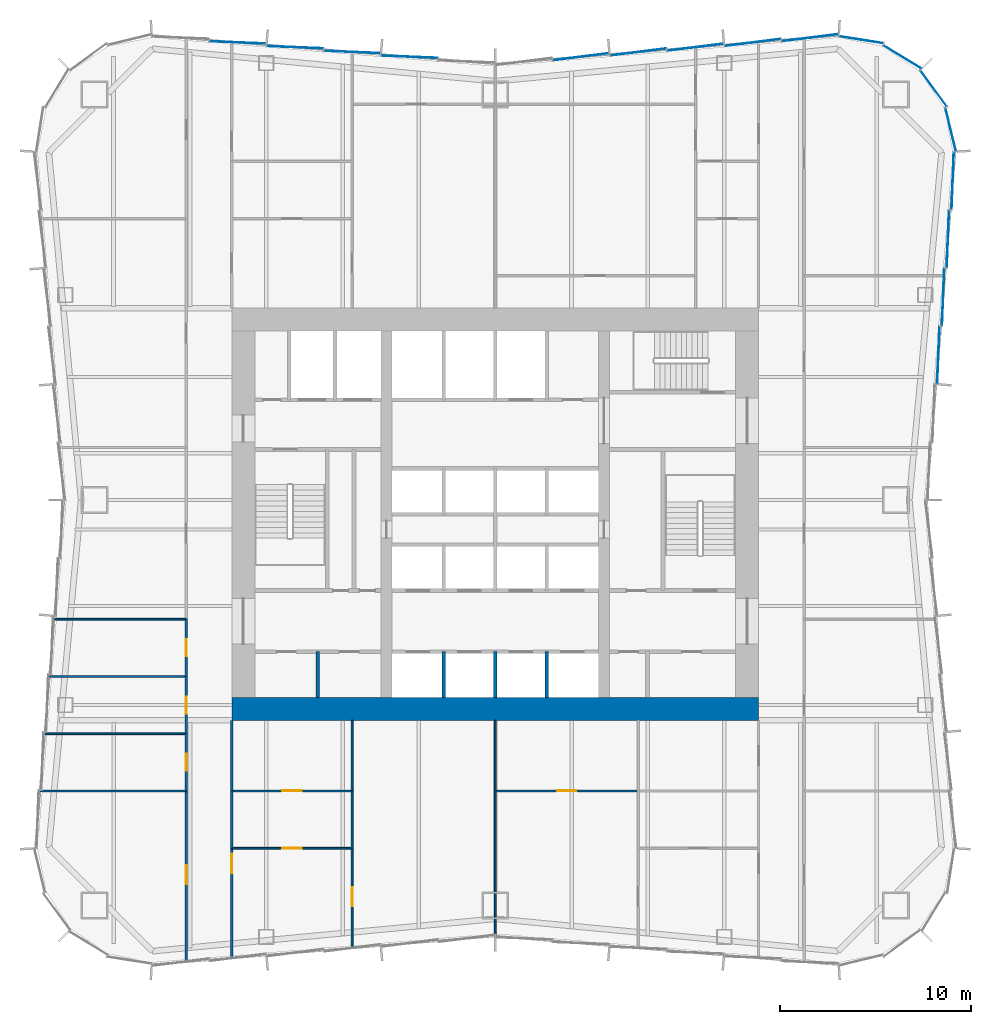
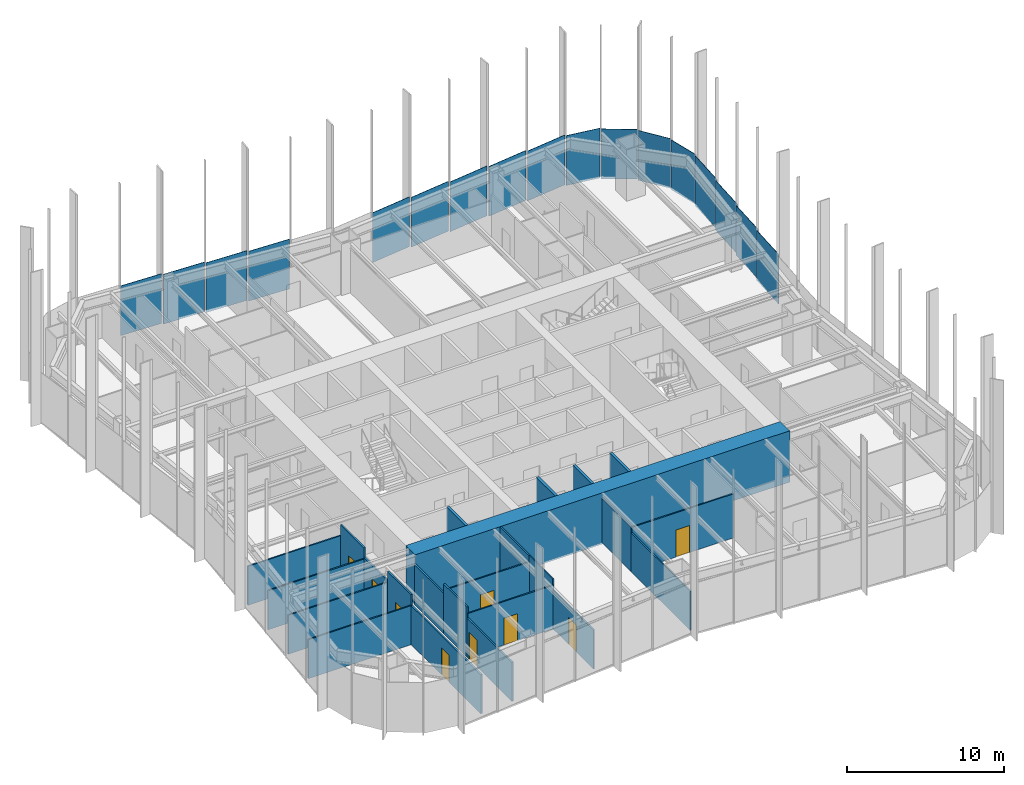
# One storey, part 8 of 13: 24 walls, 17 plates, 9 doors, 9 openings, 3 elements without a shape of their own.
"""IFC4 building model written with IfcOpenShell, lengths in metres."""

from ifc_helpers import new_model, si_unit, direction, frame, frame_2d, origin, origin_2d, place, context, subcontext, project, spatial, rectangle, extrude, material, layer, layer_set, type_object, element, fill, aggregate, save


model = new_model("IFC4")

# Units and contexts
model_context = context("Model", 3, precision=1e-05, world=origin(), true_north=direction((0.0, 1.0)))
body_context = subcontext(model_context, "Body", "Model", "MODEL_VIEW")
ifc_project = project(units=[si_unit("LENGTHUNIT", "METRE"), si_unit("AREAUNIT", "SQUARE_METRE"), si_unit("VOLUMEUNIT", "CUBIC_METRE"), si_unit("PLANEANGLEUNIT", "RADIAN"), si_unit("MASSUNIT", "GRAM", prefix="KILO")], contexts=[model_context])

# Site, building, storey
site_placement = place(None, origin())
site = spatial("IfcSite", under=ifc_project, at=site_placement, CompositionType="ELEMENT")
building_placement = place(site_placement, origin())
building = spatial("IfcBuilding", under=site, at=building_placement, Name="Verdant Reach Tower", CompositionType="ELEMENT")
storey_placement = place(building_placement, frame((0.0, 0.0, 94.0)))
storey = spatial("IfcBuildingStorey", under=building, at=storey_placement, Name="L21", CompositionType="ELEMENT", Elevation=94.0)

# Curtain wall, plate
ifc_material_1 = material(Name="Anodised aluminium", Category="aluminium")
curtain_wall_type = type_object("IfcCurtainWallType", Name="EN-CW SYSTEM Z1", PredefinedType="NOTDEFINED", material=ifc_material_1)
curtain_wall_1_placement = place(storey_placement, origin())
curtain_wall_1 = element("IfcCurtainWall", 1, at=curtain_wall_1_placement, inside=storey, type_object=curtain_wall_type, Name="Curtain wall east, L21", PredefinedType="NOTDEFINED")
ifc_material_2 = material(Name="Tinted glass with champagne spandrel", Category="glass")
ifc_layer_1 = layer(ifc_material_2, 0.031982421875)
ifc_layer_set_1 = layer_set([ifc_layer_1], Name="EN-PANEL CHAMPAGNE")
plate_type_1 = type_object("IfcPlateType", Name="EN-PANEL CHAMPAGNE", PredefinedType="CURTAIN_PANEL", material=ifc_layer_set_1)
plate_1_placement = place(storey_placement, frame((23.977783203125, 45.477783203125, -0.22802734375), z_axis=(0.0, 0.0, 1.0), x_axis=(0.039784239139, 0.999208293759, 0.0)))
plate_1 = element("IfcPlate", 2, at=plate_1_placement, type_object=plate_type_1, Name="Glass panel east face part 2 6.1, L21", PredefinedType="CURTAIN_PANEL", context=body_context, shape_type="SweptSolid", body=[
    extrude(rectangle(XDim=3.00830078125, YDim=0.031982421875, at=origin_2d()), origin(), (0.0, 0.0, 1.0), 3.8779296875),
])

curtain_wall_2_placement = place(storey_placement, origin())
curtain_wall_2 = element("IfcCurtainWall", 3, at=curtain_wall_2_placement, inside=storey, type_object=curtain_wall_type, Name="Curtain wall north-east corner, L21", PredefinedType="NOTDEFINED")
plate_2_placement = place(storey_placement, frame((19.170654296875, 52.87060546875, -0.22802734375), z_axis=(0.0, 0.0, 1.0), x_axis=(-0.988032704995, 0.154244526195, 0.0)))
plate_2 = element("IfcPlate", 4, at=plate_2_placement, type_object=plate_type_1, Name="Glass panel north-east corner 4.1, L21", PredefinedType="CURTAIN_PANEL", context=body_context, shape_type="SweptSolid", body=[
    extrude(rectangle(XDim=2.317626953125, YDim=0.031982421875, at=origin_2d()), origin(), (0.0, 0.0, 1.0), 3.8779296875),
])

# Curtain wall, plates
curtain_wall_3_placement = place(storey_placement, origin())
curtain_wall_3 = element("IfcCurtainWall", 5, at=curtain_wall_3_placement, inside=storey, type_object=curtain_wall_type, Name="Curtain wall north, L21", PredefinedType="NOTDEFINED")
plate_3_placement = place(storey_placement, frame((10.491455078125, 52.4775390625, -0.22802734375), z_axis=(0.0, 0.0, 1.0), x_axis=(-0.992194034542, -0.124703639961, 0.0)))
plate_3 = element("IfcPlate", 6, at=plate_3_placement, type_object=plate_type_1, Name="Glass panel north face part 1 3.1, L21", PredefinedType="CURTAIN_PANEL", context=body_context, shape_type="SweptSolid", body=[
    extrude(rectangle(XDim=2.952392578125, YDim=0.031982421875, at=origin_2d()), origin(), (0.0, 0.0, 1.0), 3.8779296875),
])
plate_4_placement = place(storey_placement, frame((7.491455078125, 52.2275390625, -0.22802734375), z_axis=(0.0, 0.0, 1.0), x_axis=(-0.992194034542, -0.124703639961, 0.0)))
plate_4 = element("IfcPlate", 7, at=plate_4_placement, type_object=plate_type_1, Name="Glass panel north face part 1 4.1, L21", PredefinedType="CURTAIN_PANEL", context=body_context, shape_type="SweptSolid", body=[
    extrude(rectangle(XDim=2.952392578125, YDim=0.031982421875, at=origin_2d()), origin(), (0.0, 0.0, 1.0), 3.8779296875),
])
plate_5_placement = place(storey_placement, frame((-10.491455078125, 52.4775390625, -0.22802734375), z_axis=(0.0, 0.0, 1.0), x_axis=(-0.999149202059, 0.041241629766, 0.0)))
plate_5 = element("IfcPlate", 8, at=plate_5_placement, type_object=plate_type_1, Name="Glass panel north face part 2 4.1, L21", PredefinedType="CURTAIN_PANEL", context=body_context, shape_type="SweptSolid", body=[
    extrude(rectangle(XDim=2.952392578125, YDim=0.031982421875, at=origin_2d()), origin(), (0.0, 0.0, 1.0), 3.8779296875),
])
plate_6_placement = place(storey_placement, frame((-13.491455078125, 52.7275390625, -0.22802734375), z_axis=(0.0, 0.0, 1.0), x_axis=(-0.999149202059, 0.041241629766, 0.0)))
plate_6 = element("IfcPlate", 9, at=plate_6_placement, type_object=plate_type_1, Name="Glass panel north face part 2 5.1, L21", PredefinedType="CURTAIN_PANEL", context=body_context, shape_type="SweptSolid", body=[
    extrude(rectangle(XDim=2.952392578125, YDim=0.031982421875, at=origin_2d()), origin(), (0.0, 0.0, 1.0), 3.8779296875),
])

# Plate
ifc_material_3 = material(Name="Tinted glass with copper spandrel", Category="glass")
ifc_layer_2 = layer(ifc_material_3, 0.031982421875)
ifc_layer_set_2 = layer_set([ifc_layer_2], Name="EN-PANEL COPPER")
plate_type_2 = type_object("IfcPlateType", Name="EN-PANEL COPPER", PredefinedType="CURTAIN_PANEL", material=ifc_layer_set_2)
plate_7_placement = place(storey_placement, frame((23.87060546875, 48.170654296875, -0.22802734375), z_axis=(0.0, 0.0, 1.0), x_axis=(-0.236383344544, 0.971659875894, 0.0)))
plate_7 = element("IfcPlate", 10, at=plate_7_placement, type_object=plate_type_2, Name="Glass panel north-east corner 1.1, L21", PredefinedType="CURTAIN_PANEL", context=body_context, shape_type="SweptSolid", body=[
    extrude(rectangle(XDim=2.3173828125, YDim=0.031982421875, at=origin_2d()), origin(), (0.0, 0.0, 1.0), 3.8779296875),
])

plate_8_placement = place(storey_placement, frame((4.491455078125, 51.9775390625, -0.22802734375), z_axis=(0.0, 0.0, 1.0), x_axis=(-0.992194034542, -0.124703639961, 0.0)))
plate_8 = element("IfcPlate", 11, at=plate_8_placement, type_object=plate_type_2, Name="Glass panel north face part 1 5.1, L21", PredefinedType="CURTAIN_PANEL", context=body_context, shape_type="SweptSolid", body=[
    extrude(rectangle(XDim=2.952392578125, YDim=0.031982421875, at=origin_2d()), origin(), (0.0, 0.0, 1.0), 3.8779296875),
])

ifc_material_4 = material(Name="Tinted glass with dark bronze spandrel", Category="glass")
ifc_layer_3 = layer(ifc_material_4, 0.031982421875)
ifc_layer_set_3 = layer_set([ifc_layer_3], Name="EN-PANEL DARK")
plate_type_3 = type_object("IfcPlateType", Name="EN-PANEL DARK", PredefinedType="CURTAIN_PANEL", material=ifc_layer_set_3)
plate_9_placement = place(storey_placement, frame((23.2275390625, 36.345703125, -0.22802734375), z_axis=(0.0, 0.0, 1.0), x_axis=(0.040108781752, 0.999195319057, 0.0)))
plate_9 = element("IfcPlate", 12, at=plate_9_placement, type_object=plate_type_3, Name="Glass panel east face part 2 3.1, L21", PredefinedType="CURTAIN_PANEL", context=body_context, shape_type="SweptSolid", body=[
    extrude(rectangle(XDim=2.993896484375, YDim=0.031982421875, at=origin_2d()), origin(), (0.0, 0.0, 1.0), 3.8779296875),
])

plate_10_placement = place(storey_placement, frame((23.4775390625, 39.387451171875, -0.22802734375), z_axis=(0.0, 0.0, 1.0), x_axis=(0.040108781752, 0.999195319057, 0.0)))
plate_10 = element("IfcPlate", 13, at=plate_10_placement, type_object=plate_type_3, Name="Glass panel east face part 2 4.1, L21", PredefinedType="CURTAIN_PANEL", context=body_context, shape_type="SweptSolid", body=[
    extrude(rectangle(XDim=2.993896484375, YDim=0.031982421875, at=origin_2d()), origin(), (0.0, 0.0, 1.0), 3.8779296875),
])

plate_11_placement = place(storey_placement, frame((23.7275390625, 42.428955078125, -0.22802734375), z_axis=(0.0, 0.0, 1.0), x_axis=(0.040108781752, 0.999195319057, 0.0)))
plate_11 = element("IfcPlate", 14, at=plate_11_placement, type_object=plate_type_3, Name="Glass panel east face part 2 5.1, L21", PredefinedType="CURTAIN_PANEL", context=body_context, shape_type="SweptSolid", body=[
    extrude(rectangle(XDim=2.993896484375, YDim=0.031982421875, at=origin_2d()), origin(), (0.0, 0.0, 1.0), 3.8779296875),
])

aggregate(curtain_wall_1, [plate_9, plate_10, plate_11, plate_1])

plate_12_placement = place(storey_placement, frame((22.97705078125, 50.325439453125, -0.22802734375), z_axis=(0.0, 0.0, 1.0), x_axis=(-0.589926768145, 0.807456753161, 0.0)))
plate_12 = element("IfcPlate", 15, at=plate_12_placement, type_object=plate_type_3, Name="Glass panel north-east corner 2.1, L21", PredefinedType="CURTAIN_PANEL", context=body_context, shape_type="SweptSolid", body=[
    extrude(rectangle(XDim=2.3232421875, YDim=0.031982421875, at=origin_2d()), origin(), (0.0, 0.0, 1.0), 3.8779296875),
])

plate_13_placement = place(storey_placement, frame((21.325439453125, 51.97705078125, -0.22802734375), z_axis=(0.0, 0.0, 1.0), x_axis=(-0.85398868836, 0.520291572248, 0.0)))
plate_13 = element("IfcPlate", 16, at=plate_13_placement, type_object=plate_type_3, Name="Glass panel north-east corner 3.1, L21", PredefinedType="CURTAIN_PANEL", context=body_context, shape_type="SweptSolid", body=[
    extrude(rectangle(XDim=2.3232421875, YDim=0.031982421875, at=origin_2d()), origin(), (0.0, 0.0, 1.0), 3.8779296875),
])

aggregate(curtain_wall_2, [plate_7, plate_12, plate_13, plate_2])

plate_14_placement = place(storey_placement, frame((16.49853515625, 52.977783203125, -0.22802734375), z_axis=(0.0, 0.0, 1.0), x_axis=(-0.99223537376, -0.124374286167, 0.0)))
plate_14 = element("IfcPlate", 17, at=plate_14_placement, type_object=plate_type_3, Name="Glass panel north face part 1 1.1, L21", PredefinedType="CURTAIN_PANEL", context=body_context, shape_type="SweptSolid", body=[
    extrude(rectangle(XDim=2.966796875, YDim=0.031982421875, at=origin_2d()), origin(), (0.0, 0.0, 1.0), 3.8779296875),
])

plate_15_placement = place(storey_placement, frame((13.491455078125, 52.7275390625, -0.22802734375), z_axis=(0.0, 0.0, 1.0), x_axis=(-0.992194034542, -0.124703639961, 0.0)))
plate_15 = element("IfcPlate", 18, at=plate_15_placement, type_object=plate_type_3, Name="Glass panel north face part 1 2.1, L21", PredefinedType="CURTAIN_PANEL", context=body_context, shape_type="SweptSolid", body=[
    extrude(rectangle(XDim=2.952392578125, YDim=0.031982421875, at=origin_2d()), origin(), (0.0, 0.0, 1.0), 3.8779296875),
])

plate_16_placement = place(storey_placement, frame((-4.491455078125, 51.9775390625, -0.22802734375), z_axis=(0.0, 0.0, 1.0), x_axis=(-0.999149202059, 0.041241629766, 0.0)))
plate_16 = element("IfcPlate", 19, at=plate_16_placement, type_object=plate_type_3, Name="Glass panel north face part 2 2.1, L21", PredefinedType="CURTAIN_PANEL", context=body_context, shape_type="SweptSolid", body=[
    extrude(rectangle(XDim=2.952392578125, YDim=0.031982421875, at=origin_2d()), origin(), (0.0, 0.0, 1.0), 3.8779296875),
])

plate_17_placement = place(storey_placement, frame((-7.491455078125, 52.2275390625, -0.22802734375), z_axis=(0.0, 0.0, 1.0), x_axis=(-0.999149202059, 0.041241629766, 0.0)))
plate_17 = element("IfcPlate", 20, at=plate_17_placement, type_object=plate_type_3, Name="Glass panel north face part 2 3.1, L21", PredefinedType="CURTAIN_PANEL", context=body_context, shape_type="SweptSolid", body=[
    extrude(rectangle(XDim=2.952392578125, YDim=0.031982421875, at=origin_2d()), origin(), (0.0, 0.0, 1.0), 3.8779296875),
])

aggregate(curtain_wall_3, [plate_14, plate_15, plate_3, plate_4, plate_8, plate_16, plate_17, plate_5, plate_6])

# Walls
ifc_material_5 = material(Name="Gypsum board on steel studs", Category="steel")
ifc_layer_4 = layer(ifc_material_5, 0.199951171875)
ifc_layer_set_4 = layer_set([ifc_layer_4], Name="CO-WALL-ROOM")
wall_type_1 = type_object("IfcWallType", Name="CO-WALL-ROOM", PredefinedType="PARTITIONING", material=ifc_layer_set_4)
wall_1_placement = place(storey_placement, frame((-9.300048828125, 18.39990234375, 0.0), z_axis=(0.0, 0.0, 1.0), x_axis=(0.0, 1.0, 0.0)))
element("IfcWall", 21, at=wall_1_placement, inside=storey, type_object=wall_type_1, Name="Core partition, L21", PredefinedType="PARTITIONING", context=body_context, shape_type="SweptSolid", body=[
    extrude(rectangle(XDim=2.400146484375, YDim=0.199951171875, at=frame_2d((1.2001953125, 0.0))), origin(), (0.0, 0.0, 1.0), 3.8701171875),
])
ifc_material_6 = material(Name="Concrete C40/50", Category="concrete")
ifc_layer_5 = layer(ifc_material_6, 0.199951171875)
ifc_layer_set_5 = layer_set([ifc_layer_5], Name="CO-WALL-SHAFT")
wall_type_2 = type_object("IfcWallType", Name="CO-WALL-SHAFT", PredefinedType="PARTITIONING", material=ifc_layer_set_5)
for number, where, z_axis, x_axis, name in (
    (22, (-2.699951171875, 18.39990234375, 0.0), (0.0, 0.0, 1.0), (0.0, 1.0, 0.0), "Lift shaft wall, L21"),
    (23, (0.0, 18.39990234375, 0.0), (0.0, 0.0, 1.0), (0.0, 1.0, 0.0), "Lift shaft wall, L21"),
    (24, (2.699951171875, 18.39990234375, 0.0), (0.0, 0.0, 1.0), (0.0, 1.0, 0.0), "Lift shaft wall, L21"),
):
    element("IfcWall", number, at=place(storey_placement, frame(where, z_axis=z_axis, x_axis=x_axis)), inside=storey, type_object=wall_type_2, Name=name, PredefinedType="PARTITIONING", context=body_context, shape_type="SweptSolid", body=[
        extrude(rectangle(XDim=2.400146484375, YDim=0.199951171875, at=frame_2d((1.2001953125, 0.0))), origin(), (0.0, 0.0, 1.0), 3.8701171875),
    ])
ifc_layer_6 = layer(ifc_material_5, 0.10009765625)
ifc_layer_set_6 = layer_set([ifc_layer_6], Name="FL-W1 Partition 100")
wall_type_3 = type_object("IfcWallType", Name="FL-W1 Partition 100", PredefinedType="PARTITIONING", material=ifc_layer_set_6)
wall_2_placement = place(storey_placement, frame((-16.199951171875, 13.5, 0.0), z_axis=(0.0, 0.0, 1.0), x_axis=(-1.0, 0.0, 0.0)))
element("IfcWall", 25, at=wall_2_placement, inside=storey, type_object=wall_type_3, Name="Partition 21.25", PredefinedType="PARTITIONING", context=body_context, shape_type="SweptSolid", body=[
    extrude(rectangle(XDim=7.633544921875, YDim=0.10009765625, at=frame_2d((3.81689453125, 0.0))), origin(), (0.0, 0.0, 1.0), 3.0400390625),
])
wall_3_placement = place(storey_placement, frame((-16.199951171875, 16.5, 0.0), z_axis=(0.0, 0.0, 1.0), x_axis=(-1.0, 0.0, 0.0)))
element("IfcWall", 26, at=wall_3_placement, inside=storey, type_object=wall_type_3, Name="Partition 21.26", PredefinedType="PARTITIONING", context=body_context, shape_type="SweptSolid", body=[
    extrude(rectangle(XDim=7.386962890625, YDim=0.10009765625, at=frame_2d((3.693359375, 0.0))), origin(), (0.0, 0.0, 1.0), 3.0400390625),
])
wall_4_placement = place(storey_placement, frame((-16.199951171875, 19.5, 0.0), z_axis=(0.0, 0.0, 1.0), x_axis=(-1.0, 0.0, 0.0)))
element("IfcWall", 27, at=wall_4_placement, inside=storey, type_object=wall_type_3, Name="Partition 21.27", PredefinedType="PARTITIONING", context=body_context, shape_type="SweptSolid", body=[
    extrude(rectangle(XDim=7.140380859375, YDim=0.10009765625, at=frame_2d((3.5703125, 0.0))), origin(), (0.0, 0.0, 1.0), 3.0400390625),
])
wall_5_placement = place(storey_placement, frame((-16.199951171875, 22.5, 0.0), z_axis=(0.0, 0.0, 1.0), x_axis=(-1.0, 0.0, 0.0)))
element("IfcWall", 28, at=wall_5_placement, inside=storey, type_object=wall_type_3, Name="Partition 21.28", PredefinedType="PARTITIONING", context=body_context, shape_type="SweptSolid", body=[
    extrude(rectangle(XDim=6.893798828125, YDim=0.10009765625, at=frame_2d((3.44677734375, 0.0))), origin(), (0.0, 0.0, 1.0), 3.0400390625),
])

# Wall, opening, door
wall_6_placement = place(storey_placement, frame((-13.800048828125, 10.5, 0.0), z_axis=(0.0, 0.0, 1.0), x_axis=(1.0, 0.0, 0.0)))
wall_6 = element("IfcWall", 29, at=wall_6_placement, inside=storey, type_object=wall_type_3, Name="Partition 21.35", PredefinedType="PARTITIONING", context=body_context, shape_type="SweptSolid", body=[
    extrude(rectangle(XDim=6.300048828125, YDim=0.10009765625, at=frame_2d((3.14990234375, 0.0))), origin(), (0.0, 0.0, 1.0), 3.389892578125),
])
opening_1_placement = place(wall_6_placement, frame((2.64990234375, 0.0, 0.0)))
opening_1 = element("IfcOpeningElement", 30, at=opening_1_placement, cuts=wall_6, Name="Opening D3", PredefinedType="OPENING", context=body_context, shape_type="SweptSolid", body=[
    extrude(rectangle(XDim=1.0, YDim=2.10009765625, at=frame_2d((0.5, 1.050048828125))), frame((0.0, 0.06005859375, 0.0), z_axis=(0.0, -1.0, 0.0), x_axis=(1.0, 0.0, 0.0)), (0.0, 0.0, 1.0), 0.1201171875),
])
ifc_material_7 = material(Name="Painted timber door leaf", Category="wood")
door_type_1 = type_object("IfcDoorType", Name="FL-D3 Door 1000x2100", OperationType="NOTDEFINED", PredefinedType="DOOR", material=ifc_material_7)
door_1_placement = place(opening_1_placement, origin())
door_1 = element("IfcDoor", 31, at=door_1_placement, inside=storey, type_object=door_type_1, Name="Door 21-019", OperationType="SINGLE_SWING_LEFT", OverallHeight=2.10009765625, OverallWidth=1.0, PredefinedType="DOOR", context=body_context, shape_type="SweptSolid", body=[
    extrude(rectangle(XDim=1.0, YDim=2.10009765625, at=frame_2d((0.5, 1.050048828125))), frame((0.0, 0.02490234375, 0.0), z_axis=(0.0, -1.0, 0.0), x_axis=(1.0, 0.0, 0.0)), (0.0, 0.0, 1.0), 0.050048828125),
])
fill(opening_1, door_1)

wall_7_placement = place(storey_placement, frame((-7.5, 10.50390625, 0.0), z_axis=(0.0, 0.0, 1.0), x_axis=(0.0, -1.0, 0.0)))
wall_7 = element("IfcWall", 32, at=wall_7_placement, inside=storey, type_object=wall_type_3, Name="Partition 21.36", PredefinedType="PARTITIONING", context=body_context, shape_type="SweptSolid", body=[
    extrude(rectangle(XDim=5.208984375, YDim=0.10009765625, at=frame_2d((2.6044921875, 0.0))), origin(), (0.0, 0.0, 1.0), 3.0400390625),
])
opening_2_placement = place(wall_7_placement, frame((2.039306640625, 0.0, 0.0)))
opening_2 = element("IfcOpeningElement", 33, at=opening_2_placement, cuts=wall_7, Name="Opening D3", PredefinedType="OPENING", context=body_context, shape_type="SweptSolid", body=[
    extrude(rectangle(XDim=1.0, YDim=2.10009765625, at=frame_2d((0.5, 1.050048828125))), frame((0.0, 0.06005859375, 0.0), z_axis=(0.0, -1.0, 0.0), x_axis=(1.0, 0.0, 0.0)), (0.0, 0.0, 1.0), 0.1201171875),
])
door_2_placement = place(opening_2_placement, origin())
door_2 = element("IfcDoor", 34, at=door_2_placement, inside=storey, type_object=door_type_1, Name="Door 21-020", OperationType="SINGLE_SWING_LEFT", OverallHeight=2.10009765625, OverallWidth=1.0, PredefinedType="DOOR", context=body_context, shape_type="SweptSolid", body=[
    extrude(rectangle(XDim=1.0, YDim=2.10009765625, at=frame_2d((0.5, 1.050048828125))), frame((0.0, 0.02490234375, 0.0), z_axis=(0.0, -1.0, 0.0), x_axis=(1.0, 0.0, 0.0)), (0.0, 0.0, 1.0), 0.050048828125),
])
fill(opening_2, door_2)

wall_8_placement = place(storey_placement, frame((-13.800048828125, 13.5, 0.0), z_axis=(0.0, 0.0, 1.0), x_axis=(1.0, 0.0, 0.0)))
wall_8 = element("IfcWall", 35, at=wall_8_placement, inside=storey, type_object=wall_type_3, Name="Partition 21.37", PredefinedType="PARTITIONING", context=body_context, shape_type="SweptSolid", body=[
    extrude(rectangle(XDim=6.300048828125, YDim=0.10009765625, at=frame_2d((3.14990234375, 0.0))), origin(), (0.0, 0.0, 1.0), 3.389892578125),
])
opening_3_placement = place(wall_8_placement, frame((2.64990234375, 0.0, 0.0)))
opening_3 = element("IfcOpeningElement", 36, at=opening_3_placement, cuts=wall_8, Name="Opening D3", PredefinedType="OPENING", context=body_context, shape_type="SweptSolid", body=[
    extrude(rectangle(XDim=1.0, YDim=2.10009765625, at=frame_2d((0.5, 1.050048828125))), frame((0.0, 0.06005859375, 0.0), z_axis=(0.0, -1.0, 0.0), x_axis=(1.0, 0.0, 0.0)), (0.0, 0.0, 1.0), 0.1201171875),
])
door_3_placement = place(opening_3_placement, origin())
door_3 = element("IfcDoor", 37, at=door_3_placement, inside=storey, type_object=door_type_1, Name="Door 21-021", OperationType="SINGLE_SWING_LEFT", OverallHeight=2.10009765625, OverallWidth=1.0, PredefinedType="DOOR", context=body_context, shape_type="SweptSolid", body=[
    extrude(rectangle(XDim=1.0, YDim=2.10009765625, at=frame_2d((0.5, 1.050048828125))), frame((0.0, 0.02490234375, 0.0), z_axis=(0.0, -1.0, 0.0), x_axis=(1.0, 0.0, 0.0)), (0.0, 0.0, 1.0), 0.050048828125),
])
fill(opening_3, door_3)

# Walls
wall_9_placement = place(storey_placement, frame((-7.5, 10.49609375, 0.0), z_axis=(0.0, 0.0, 1.0), x_axis=(0.0, 1.0, 0.0)))
element("IfcWall", 38, at=wall_9_placement, inside=storey, type_object=wall_type_3, Name="Partition 21.38", PredefinedType="PARTITIONING", context=body_context, shape_type="SweptSolid", body=[
    extrude(rectangle(XDim=3.0078125, YDim=0.10009765625, at=frame_2d((1.50390625, 0.0))), origin(), (0.0, 0.0, 1.0), 3.8701171875),
])
wall_10_placement = place(storey_placement, frame((-7.5, 13.49609375, 0.0), z_axis=(0.0, 0.0, 1.0), x_axis=(0.0, 1.0, 0.0)))
element("IfcWall", 39, at=wall_10_placement, inside=storey, type_object=wall_type_3, Name="Partition 21.39", PredefinedType="PARTITIONING", context=body_context, shape_type="SweptSolid", body=[
    extrude(rectangle(XDim=3.703857421875, YDim=0.10009765625, at=frame_2d((1.85205078125, 0.0))), origin(), (0.0, 0.0, 1.0), 3.8701171875),
])
wall_11_placement = place(storey_placement, frame((0.0, 5.919921875, 0.0), z_axis=(0.0, 0.0, 1.0), x_axis=(0.0, 1.0, 0.0)))
element("IfcWall", 40, at=wall_11_placement, inside=storey, type_object=wall_type_3, Name="Partition 21.40", PredefinedType="PARTITIONING", context=body_context, shape_type="SweptSolid", body=[
    extrude(rectangle(XDim=7.580078125, YDim=0.10009765625, at=frame_2d((3.7900390625, 0.0))), origin(), (0.0, 0.0, 1.0), 3.0400390625),
])
wall_12_placement = place(storey_placement, frame((0.0, 13.5, 0.0), z_axis=(0.0, 0.0, 1.0), x_axis=(0.0, 1.0, 0.0)))
element("IfcWall", 41, at=wall_12_placement, inside=storey, type_object=wall_type_3, Name="Partition 21.41", PredefinedType="PARTITIONING", context=body_context, shape_type="SweptSolid", body=[
    extrude(rectangle(XDim=3.699951171875, YDim=0.10009765625, at=frame_2d((1.85009765625, 0.0))), origin(), (0.0, 0.0, 1.0), 3.47998046875),
])

# Wall, opening, door
wall_13_placement = place(storey_placement, frame((0.0, 13.5, 0.0), z_axis=(0.0, 0.0, 1.0), x_axis=(1.0, 0.0, 0.0)))
wall_13 = element("IfcWall", 42, at=wall_13_placement, inside=storey, type_object=wall_type_3, Name="Partition 21.47", PredefinedType="PARTITIONING", context=body_context, shape_type="SweptSolid", body=[
    extrude(rectangle(XDim=7.5, YDim=0.10009765625, at=frame_2d((3.75, 0.0))), origin(), (0.0, 0.0, 1.0), 3.43994140625),
])
opening_4_placement = place(wall_13_placement, frame((3.25, 0.0, 0.0)))
opening_4 = element("IfcOpeningElement", 43, at=opening_4_placement, cuts=wall_13, Name="Opening D3", PredefinedType="OPENING", context=body_context, shape_type="SweptSolid", body=[
    extrude(rectangle(XDim=1.0, YDim=2.10009765625, at=frame_2d((0.5, 1.050048828125))), frame((0.0, 0.06005859375, 0.0), z_axis=(0.0, -1.0, 0.0), x_axis=(1.0, 0.0, 0.0)), (0.0, 0.0, 1.0), 0.1201171875),
])
door_4_placement = place(opening_4_placement, origin())
door_4 = element("IfcDoor", 44, at=door_4_placement, inside=storey, type_object=door_type_1, Name="Door 21-024", OperationType="SINGLE_SWING_RIGHT", OverallHeight=2.10009765625, OverallWidth=1.0, PredefinedType="DOOR", context=body_context, shape_type="SweptSolid", body=[
    extrude(rectangle(XDim=1.0, YDim=2.10009765625, at=frame_2d((0.5, 1.050048828125))), frame((0.0, 0.02490234375, 0.0), z_axis=(0.0, -1.0, 0.0), x_axis=(1.0, 0.0, 0.0)), (0.0, 0.0, 1.0), 0.050048828125),
])
fill(opening_4, door_4)

ifc_material_8 = material(Name="Gypsum board on steel studs, fire rated", Category="steel")
ifc_layer_7 = layer(ifc_material_8, 0.125)
ifc_layer_set_7 = layer_set([ifc_layer_7], Name="FL-W2 Corridor wall 125")
wall_type_4 = type_object("IfcWallType", Name="FL-W2 Corridor wall 125", PredefinedType="PARTITIONING", material=ifc_layer_set_7)
wall_14_placement = place(storey_placement, frame((-16.199951171875, 13.5, 0.0), z_axis=(0.0, 0.0, 1.0), x_axis=(0.0, -1.0, 0.0)))
wall_14 = element("IfcWall", 45, at=wall_14_placement, inside=storey, type_object=wall_type_4, Name="Partition 21.01", PredefinedType="PARTITIONING", context=body_context, shape_type="SweptSolid", body=[
    extrude(rectangle(XDim=8.929931640625, YDim=0.125, at=frame_2d((4.46484375, 0.0))), origin(), (0.0, 0.0, 1.0), 3.0400390625),
])
opening_5_placement = place(wall_14_placement, frame((3.89990234375, 0.0, 0.0)))
opening_5 = element("IfcOpeningElement", 46, at=opening_5_placement, cuts=wall_14, Name="Opening D2", PredefinedType="OPENING", context=body_context, shape_type="SweptSolid", body=[
    extrude(rectangle(XDim=1.0, YDim=2.10009765625, at=frame_2d((0.5, 1.050048828125))), frame((0.0, 0.072509765625, 0.0), z_axis=(0.0, -1.0, 0.0), x_axis=(1.0, 0.0, 0.0)), (0.0, 0.0, 1.0), 0.14501953125),
])
ifc_material_9 = material(Name="Timber door leaf, fire rated", Category="wood")
door_type_2 = type_object("IfcDoorType", Name="FL-D2 Entrance door 1000x2100 FD30", OperationType="NOTDEFINED", PredefinedType="DOOR", material=ifc_material_9)
door_5_placement = place(opening_5_placement, origin())
door_5 = element("IfcDoor", 47, at=door_5_placement, inside=storey, type_object=door_type_2, Name="Door 21-001", OperationType="SINGLE_SWING_LEFT", OverallHeight=2.10009765625, OverallWidth=1.0, PredefinedType="DOOR", context=body_context, shape_type="SweptSolid", body=[
    extrude(rectangle(XDim=1.0, YDim=2.10009765625, at=frame_2d((0.5, 1.050048828125))), frame((0.0, 0.02490234375, 0.0), z_axis=(0.0, -1.0, 0.0), x_axis=(1.0, 0.0, 0.0)), (0.0, 0.0, 1.0), 0.050048828125),
])
fill(opening_5, door_5)

wall_15_placement = place(storey_placement, frame((-16.199951171875, 13.5, 0.0), z_axis=(0.0, 0.0, 1.0), x_axis=(0.0, 1.0, 0.0)))
wall_15 = element("IfcWall", 48, at=wall_15_placement, inside=storey, type_object=wall_type_4, Name="Partition 21.02", PredefinedType="PARTITIONING", context=body_context, shape_type="SweptSolid", body=[
    extrude(rectangle(XDim=3.0, YDim=0.125, at=frame_2d((1.5, 0.0))), origin(), (0.0, 0.0, 1.0), 3.8701171875),
])
opening_6_placement = place(wall_15_placement, frame((1.050048828125, 0.0, 0.0)))
opening_6 = element("IfcOpeningElement", 49, at=opening_6_placement, cuts=wall_15, Name="Opening D1", PredefinedType="OPENING", context=body_context, shape_type="SweptSolid", body=[
    extrude(rectangle(XDim=0.89990234375, YDim=2.10009765625, at=frame_2d((0.449951171875, 1.050048828125))), frame((0.0, 0.072509765625, 0.0), z_axis=(0.0, -1.0, 0.0), x_axis=(1.0, 0.0, 0.0)), (0.0, 0.0, 1.0), 0.14501953125),
])
door_type_3 = type_object("IfcDoorType", Name="FL-D1 Door 900x2100", OperationType="NOTDEFINED", PredefinedType="DOOR", material=ifc_material_7)
door_6_placement = place(opening_6_placement, origin())
door_6 = element("IfcDoor", 50, at=door_6_placement, inside=storey, type_object=door_type_3, Name="Door 21-002", OperationType="SINGLE_SWING_RIGHT", OverallHeight=2.10009765625, OverallWidth=0.89990234375, PredefinedType="DOOR", context=body_context, shape_type="SweptSolid", body=[
    extrude(rectangle(XDim=0.89990234375, YDim=2.10009765625, at=frame_2d((0.449951171875, 1.050048828125))), frame((0.0, 0.02490234375, 0.0), z_axis=(0.0, -1.0, 0.0), x_axis=(1.0, 0.0, 0.0)), (0.0, 0.0, 1.0), 0.050048828125),
])
fill(opening_6, door_6)

wall_16_placement = place(storey_placement, frame((-16.199951171875, 16.5, 0.0), z_axis=(0.0, 0.0, 1.0), x_axis=(0.0, 1.0, 0.0)))
wall_16 = element("IfcWall", 51, at=wall_16_placement, inside=storey, type_object=wall_type_4, Name="Partition 21.03", PredefinedType="PARTITIONING", context=body_context, shape_type="SweptSolid", body=[
    extrude(rectangle(XDim=3.0, YDim=0.125, at=frame_2d((1.5, 0.0))), origin(), (0.0, 0.0, 1.0), 3.139892578125),
])
opening_7_placement = place(wall_16_placement, frame((1.050048828125, 0.0, 0.0)))
opening_7 = element("IfcOpeningElement", 52, at=opening_7_placement, cuts=wall_16, Name="Opening D1", PredefinedType="OPENING", context=body_context, shape_type="SweptSolid", body=[
    extrude(rectangle(XDim=0.89990234375, YDim=2.10009765625, at=frame_2d((0.449951171875, 1.050048828125))), frame((0.0, 0.072509765625, 0.0), z_axis=(0.0, -1.0, 0.0), x_axis=(1.0, 0.0, 0.0)), (0.0, 0.0, 1.0), 0.14501953125),
])
door_7_placement = place(opening_7_placement, origin())
door_7 = element("IfcDoor", 53, at=door_7_placement, inside=storey, type_object=door_type_3, Name="Door 21-003", OperationType="SINGLE_SWING_LEFT", OverallHeight=2.10009765625, OverallWidth=0.89990234375, PredefinedType="DOOR", context=body_context, shape_type="SweptSolid", body=[
    extrude(rectangle(XDim=0.89990234375, YDim=2.10009765625, at=frame_2d((0.449951171875, 1.050048828125))), frame((0.0, 0.02490234375, 0.0), z_axis=(0.0, -1.0, 0.0), x_axis=(1.0, 0.0, 0.0)), (0.0, 0.0, 1.0), 0.050048828125),
])
fill(opening_7, door_7)

wall_17_placement = place(storey_placement, frame((-16.199951171875, 19.5, 0.0), z_axis=(0.0, 0.0, 1.0), x_axis=(0.0, 1.0, 0.0)))
wall_17 = element("IfcWall", 54, at=wall_17_placement, inside=storey, type_object=wall_type_4, Name="Partition 21.04", PredefinedType="PARTITIONING", context=body_context, shape_type="SweptSolid", body=[
    extrude(rectangle(XDim=3.0, YDim=0.125, at=frame_2d((1.5, 0.0))), origin(), (0.0, 0.0, 1.0), 3.8701171875),
])
opening_8_placement = place(wall_17_placement, frame((1.050048828125, 0.0, 0.0)))
opening_8 = element("IfcOpeningElement", 55, at=opening_8_placement, cuts=wall_17, Name="Opening D1", PredefinedType="OPENING", context=body_context, shape_type="SweptSolid", body=[
    extrude(rectangle(XDim=0.89990234375, YDim=2.10009765625, at=frame_2d((0.449951171875, 1.050048828125))), frame((0.0, 0.072509765625, 0.0), z_axis=(0.0, -1.0, 0.0), x_axis=(1.0, 0.0, 0.0)), (0.0, 0.0, 1.0), 0.14501953125),
])
door_8_placement = place(opening_8_placement, origin())
door_8 = element("IfcDoor", 56, at=door_8_placement, inside=storey, type_object=door_type_3, Name="Door 21-004", OperationType="SINGLE_SWING_RIGHT", OverallHeight=2.10009765625, OverallWidth=0.89990234375, PredefinedType="DOOR", context=body_context, shape_type="SweptSolid", body=[
    extrude(rectangle(XDim=0.89990234375, YDim=2.10009765625, at=frame_2d((0.449951171875, 1.050048828125))), frame((0.0, 0.02490234375, 0.0), z_axis=(0.0, -1.0, 0.0), x_axis=(1.0, 0.0, 0.0)), (0.0, 0.0, 1.0), 0.050048828125),
])
fill(opening_8, door_8)

wall_18_placement = place(storey_placement, frame((-13.800048828125, 10.5, 0.0), z_axis=(0.0, 0.0, 1.0), x_axis=(0.0, -1.0, 0.0)))
wall_18 = element("IfcWall", 57, at=wall_18_placement, inside=storey, type_object=wall_type_4, Name="Partition 21.08", PredefinedType="PARTITIONING", context=body_context, shape_type="SweptSolid", body=[
    extrude(rectangle(XDim=5.72998046875, YDim=0.125, at=frame_2d((2.864990234375, 0.0))), origin(), (0.0, 0.0, 1.0), 3.0400390625),
])
opening_9_placement = place(wall_18_placement, frame((0.2998046875, 0.0, 0.0)))
opening_9 = element("IfcOpeningElement", 58, at=opening_9_placement, cuts=wall_18, Name="Opening D2", PredefinedType="OPENING", context=body_context, shape_type="SweptSolid", body=[
    extrude(rectangle(XDim=1.0, YDim=2.10009765625, at=frame_2d((0.5, 1.050048828125))), frame((0.0, 0.072509765625, 0.0), z_axis=(0.0, -1.0, 0.0), x_axis=(1.0, 0.0, 0.0)), (0.0, 0.0, 1.0), 0.14501953125),
])
door_9_placement = place(opening_9_placement, origin())
door_9 = element("IfcDoor", 59, at=door_9_placement, inside=storey, type_object=door_type_2, Name="Door 21-008", OperationType="SINGLE_SWING_LEFT", OverallHeight=2.10009765625, OverallWidth=1.0, PredefinedType="DOOR", context=body_context, shape_type="SweptSolid", body=[
    extrude(rectangle(XDim=1.0, YDim=2.10009765625, at=frame_2d((0.5, 1.050048828125))), frame((0.0, 0.02490234375, 0.0), z_axis=(0.0, -1.0, 0.0), x_axis=(1.0, 0.0, 0.0)), (0.0, 0.0, 1.0), 0.050048828125),
])
fill(opening_9, door_9)

# Walls
wall_19_placement = place(storey_placement, frame((-13.800048828125, 10.5, 0.0), z_axis=(0.0, 0.0, 1.0), x_axis=(0.0, 1.0, 0.0)))
element("IfcWall", 60, at=wall_19_placement, inside=storey, type_object=wall_type_4, Name="Partition 21.09", PredefinedType="PARTITIONING", context=body_context, shape_type="SweptSolid", body=[
    extrude(rectangle(XDim=3.0, YDim=0.125, at=frame_2d((1.5, 0.0))), origin(), (0.0, 0.0, 1.0), 3.8701171875),
])
wall_20_placement = place(storey_placement, frame((-13.800048828125, 13.5, 0.0), z_axis=(0.0, 0.0, 1.0), x_axis=(0.0, 1.0, 0.0)))
element("IfcWall", 61, at=wall_20_placement, inside=storey, type_object=wall_type_4, Name="Partition 21.10", PredefinedType="PARTITIONING", context=body_context, shape_type="SweptSolid", body=[
    extrude(rectangle(XDim=3.699951171875, YDim=0.125, at=frame_2d((1.85009765625, 0.0))), origin(), (0.0, 0.0, 1.0), 3.139892578125),
])
ifc_material_10 = material(Name="Concrete C70/85", Category="concrete")
ifc_layer_8 = layer(ifc_material_10, 1.199951171875)
ifc_layer_set_8 = layer_set([ifc_layer_8], Name="ST-CORE-WALL-1200")
wall_type_5 = type_object("IfcWallType", Name="ST-CORE-WALL-1200", PredefinedType="SHEAR", material=ifc_layer_set_8)
wall_21_placement = place(storey_placement, frame((-13.800048828125, 17.800048828125, -0.1298828125), z_axis=(0.0, 0.0, 1.0), x_axis=(1.0, 0.0, 0.0)))
element("IfcWall", 62, at=wall_21_placement, inside=storey, type_object=wall_type_5, Name="Core wall S, L21", PredefinedType="SHEAR", context=body_context, shape_type="SweptSolid", body=[
    extrude(rectangle(XDim=27.60009765625, YDim=1.199951171875, at=frame_2d((13.800048828125, 0.0))), origin(), (0.0, 0.0, 1.0), 4.0),
])

save(model, "model.ifc")
